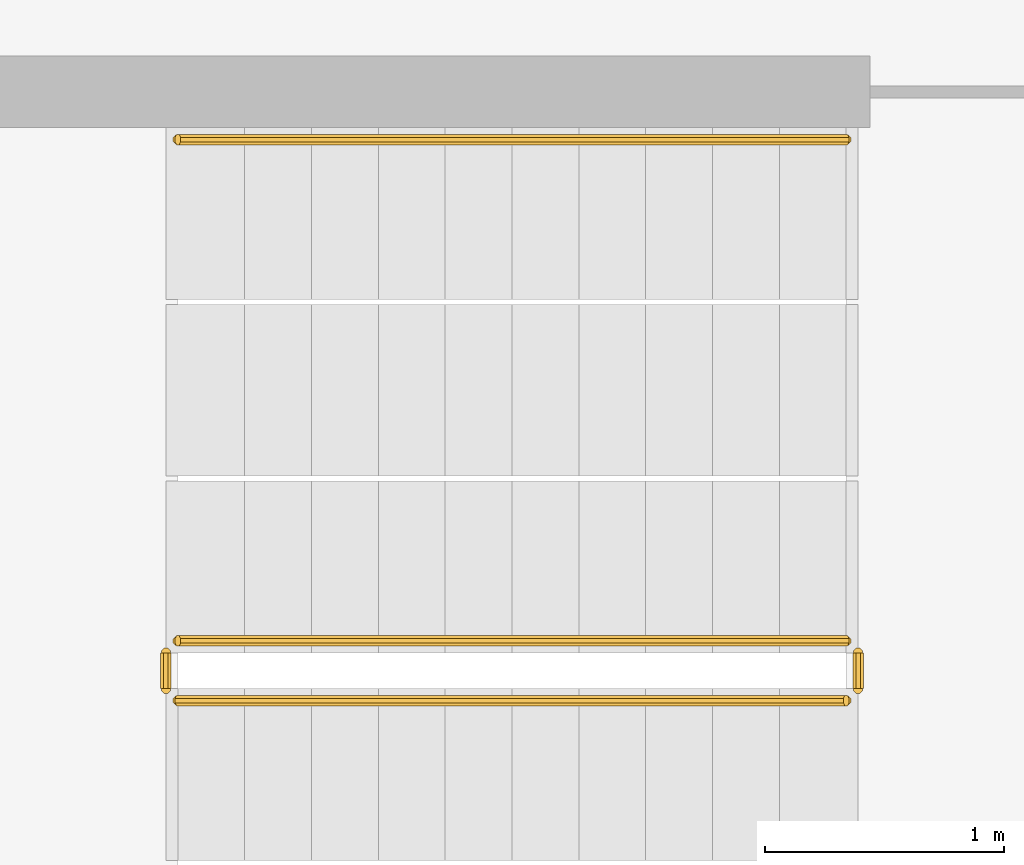
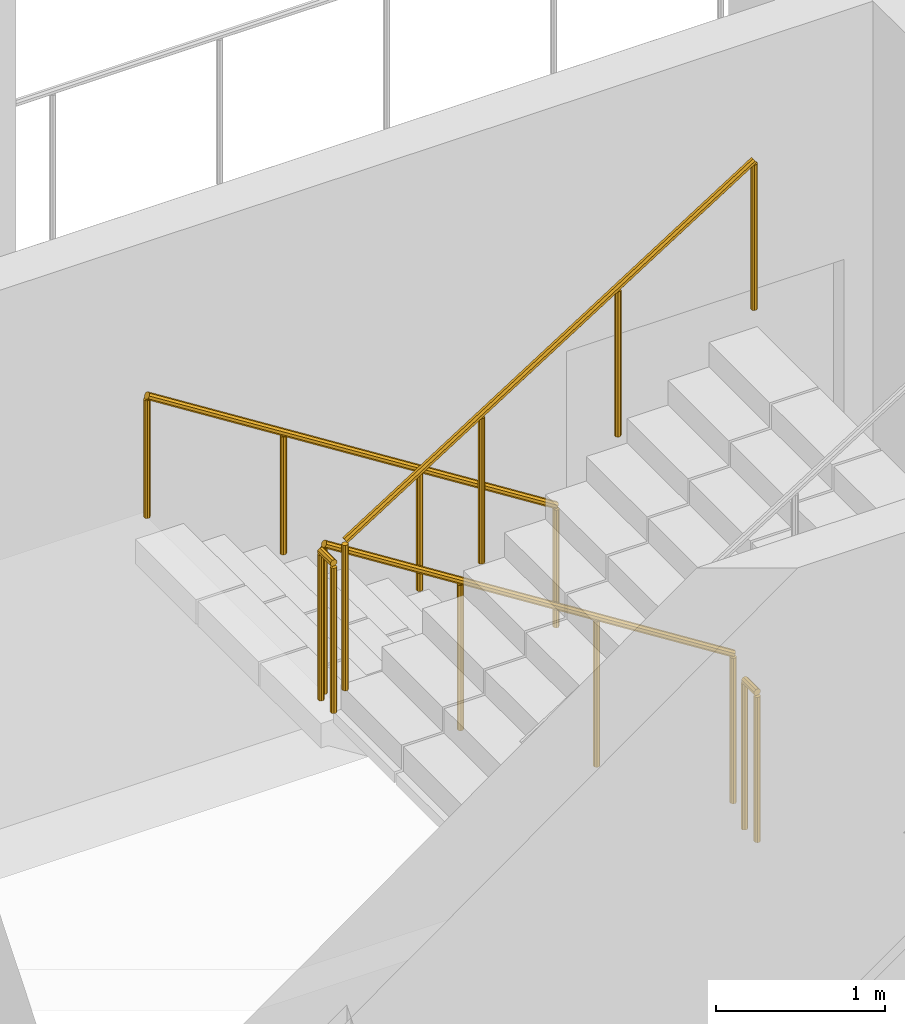
# One storey, part 19 of 25: 5 railings.
"""IFC4 building model written with IfcOpenShell, lengths in metres."""

from ifc_helpers import new_model, si_unit, direction, frame, origin, place, context, subcontext, project, spatial, polyline, outline, extrude, material, type_object, element, save


model = new_model("IFC4")

# Units and contexts
model_context = context("Model", 3, precision=1e-05, world=origin(), true_north=direction((0.0, 1.0)))
body_context = subcontext(model_context, "Body", "Model", "MODEL_VIEW")
ifc_project = project(units=[si_unit("LENGTHUNIT", "METRE"), si_unit("AREAUNIT", "SQUARE_METRE"), si_unit("VOLUMEUNIT", "CUBIC_METRE"), si_unit("PLANEANGLEUNIT", "RADIAN"), si_unit("MASSUNIT", "GRAM", prefix="KILO")], contexts=[model_context])

# Site, building, storey
site_placement = place(None, origin())
site = spatial("IfcSite", under=ifc_project, at=site_placement, CompositionType="ELEMENT")
building_placement = place(site_placement, origin())
building = spatial("IfcBuilding", under=site, at=building_placement, Name="Cormorant Relay Tower", CompositionType="ELEMENT")
storey_placement = place(building_placement, frame((0.0, 0.0, 265.800048828125)))
storey = spatial("IfcBuildingStorey", under=building, at=storey_placement, Name="L59", CompositionType="ELEMENT", Elevation=265.800048828125)

# Railings
ifc_material_1 = material(Name="Steel ASTM A572 Grade 50 (Fy 345 MPa)", Category="steel")
railing_type_1 = type_object("IfcRailingType", Name="Stair guard 1100", PredefinedType="GUARDRAIL", material=ifc_material_1)
railing_1_placement = place(storey_placement, frame((1.60009765625, -18.27490234375, 0.17724609375)))
element("IfcRailing", 1, at=railing_1_placement, inside=storey, type_object=railing_type_1, Name="L59 RK1 stair guard 1", PredefinedType="GUARDRAIL", context=body_context, shape_type="SweptSolid", body=[
    extrude(outline(polyline([(0.022216796875, 0.00927734375), (0.00927734375, 0.022216796875), (-0.00927734375, 0.022216796875), (-0.022216796875, 0.00927734375), (-0.022216796875, -0.00927734375), (-0.00927734375, -0.022216796875), (0.00927734375, -0.022216796875), (0.022216796875, -0.00927734375), (0.022216796875, 0.00927734375)])), frame((0.0, 0.0, 1.076171875), z_axis=(-0.844908973607, 0.0, 0.534910110503), x_axis=(0.0, -1.0, 0.0)), (0.0, 0.0, 1.0), 3.31396484375),
    extrude(outline(polyline([(0.019287109375, 0.008056640625), (0.008056640625, 0.019287109375), (-0.008056640625, 0.019287109375), (-0.019287109375, 0.008056640625), (-0.019287109375, -0.008056640625), (-0.008056640625, -0.019287109375), (0.008056640625, -0.019287109375), (0.019287109375, -0.008056640625), (0.019287109375, 0.008056640625)])), origin(), (0.0, 0.0, 1.0), 1.052001953125),
    extrude(outline(polyline([(0.019287109375, 0.008056640625), (0.008056640625, 0.019287109375), (-0.008056640625, 0.019287109375), (-0.019287109375, 0.008056640625), (-0.019287109375, -0.008056640625), (-0.008056640625, -0.019287109375), (0.008056640625, -0.019287109375), (0.019287109375, -0.008056640625), (0.019287109375, 0.008056640625)])), frame((-0.933349609375, 0.0, 0.5908203125)), (0.0, 0.0, 1.0), 1.052001953125),
    extrude(outline(polyline([(0.019287109375, 0.008056640625), (0.008056640625, 0.019287109375), (-0.008056640625, 0.019287109375), (-0.019287109375, 0.008056640625), (-0.019287109375, -0.008056640625), (-0.008056640625, -0.019287109375), (0.008056640625, -0.019287109375), (0.019287109375, -0.008056640625), (0.019287109375, 0.008056640625)])), frame((-1.86669921875, 0.0, 1.181884765625)), (0.0, 0.0, 1.0), 1.052001953125),
    extrude(outline(polyline([(0.019287109375, 0.008056640625), (0.008056640625, 0.019287109375), (-0.008056640625, 0.019287109375), (-0.019287109375, 0.008056640625), (-0.019287109375, -0.008056640625), (-0.008056640625, -0.019287109375), (0.008056640625, -0.019287109375), (0.019287109375, -0.008056640625), (0.019287109375, 0.008056640625)])), frame((-2.800048828125, 0.0, 1.772705078125)), (0.0, 0.0, 1.0), 1.052001953125),
])
railing_2_placement = place(storey_placement, frame((-1.25, -18.324951171875, 1.949951171875)))
element("IfcRailing", 2, at=railing_2_placement, inside=storey, type_object=railing_type_1, Name="L59 RK1 stair guard 2", PredefinedType="GUARDRAIL", context=body_context, shape_type="SweptSolid", body=[
    extrude(outline(polyline([(0.022216796875, 0.00927734375), (0.00927734375, 0.022216796875), (-0.00927734375, 0.022216796875), (-0.022216796875, 0.00927734375), (-0.022216796875, -0.00927734375), (-0.00927734375, -0.022216796875), (0.00927734375, -0.022216796875), (0.022216796875, -0.00927734375), (0.022216796875, 0.00927734375)])), frame((0.0, 0.0, 1.076171875), z_axis=(0.0, -1.0, 0.0), x_axis=(1.0, 0.0, 0.0)), (0.0, 0.0, 1.0), 0.150146484375),
    extrude(outline(polyline([(0.019287109375, 0.008056640625), (0.008056640625, 0.019287109375), (-0.008056640625, 0.019287109375), (-0.019287109375, 0.008056640625), (-0.019287109375, -0.008056640625), (-0.008056640625, -0.019287109375), (0.008056640625, -0.019287109375), (0.019287109375, -0.008056640625), (0.019287109375, 0.008056640625)])), origin(), (0.0, 0.0, 1.0), 1.052001953125),
    extrude(outline(polyline([(0.019287109375, 0.008056640625), (0.008056640625, 0.019287109375), (-0.008056640625, 0.019287109375), (-0.019287109375, 0.008056640625), (-0.019287109375, -0.008056640625), (-0.008056640625, -0.019287109375), (0.008056640625, -0.019287109375), (0.019287109375, -0.008056640625), (0.019287109375, 0.008056640625)])), frame((0.0, -0.150146484375, 0.0)), (0.0, 0.0, 1.0), 1.052001953125),
])
railing_3_placement = place(storey_placement, frame((-1.199951171875, -18.52490234375, 2.127197265625)))
element("IfcRailing", 3, at=railing_3_placement, inside=storey, type_object=railing_type_1, Name="L59 RK1 stair guard 3", PredefinedType="GUARDRAIL", context=body_context, shape_type="SweptSolid", body=[
    extrude(outline(polyline([(0.022216796875, 0.00927734375), (0.00927734375, 0.022216796875), (-0.00927734375, 0.022216796875), (-0.022216796875, 0.00927734375), (-0.022216796875, -0.00927734375), (-0.00927734375, -0.022216796875), (0.00927734375, -0.022216796875), (0.022216796875, -0.00927734375), (0.022216796875, 0.00927734375)])), frame((0.0, 0.0, 1.076171875), z_axis=(0.844908973607, 0.0, 0.534910110503), x_axis=(0.0, 1.0, 0.0)), (0.0, 0.0, 1.0), 3.31396484375),
    extrude(outline(polyline([(0.019287109375, 0.008056640625), (0.008056640625, 0.019287109375), (-0.008056640625, 0.019287109375), (-0.019287109375, 0.008056640625), (-0.019287109375, -0.008056640625), (-0.008056640625, -0.019287109375), (0.008056640625, -0.019287109375), (0.019287109375, -0.008056640625), (0.019287109375, 0.008056640625)])), origin(), (0.0, 0.0, 1.0), 1.052001953125),
    extrude(outline(polyline([(0.019287109375, 0.008056640625), (0.008056640625, 0.019287109375), (-0.008056640625, 0.019287109375), (-0.019287109375, 0.008056640625), (-0.019287109375, -0.008056640625), (-0.008056640625, -0.019287109375), (0.008056640625, -0.019287109375), (0.019287109375, -0.008056640625), (0.019287109375, 0.008056640625)])), frame((0.933349609375, 0.0, 0.5908203125)), (0.0, 0.0, 1.0), 1.052001953125),
    extrude(outline(polyline([(0.019287109375, 0.008056640625), (0.008056640625, 0.019287109375), (-0.008056640625, 0.019287109375), (-0.019287109375, 0.008056640625), (-0.019287109375, -0.008056640625), (-0.008056640625, -0.019287109375), (0.008056640625, -0.019287109375), (0.019287109375, -0.008056640625), (0.019287109375, 0.008056640625)])), frame((1.86669921875, 0.0, 1.181884765625)), (0.0, 0.0, 1.0), 1.052001953125),
    extrude(outline(polyline([(0.019287109375, 0.008056640625), (0.008056640625, 0.019287109375), (-0.008056640625, 0.019287109375), (-0.019287109375, 0.008056640625), (-0.019287109375, -0.008056640625), (-0.008056640625, -0.019287109375), (0.008056640625, -0.019287109375), (0.019287109375, -0.008056640625), (0.019287109375, 0.008056640625)])), frame((2.800048828125, 0.0, 1.772705078125)), (0.0, 0.0, 1.0), 1.052001953125),
])
railing_4_placement = place(storey_placement, frame((1.64990234375, -18.324951171875, 0.0)))
element("IfcRailing", 4, at=railing_4_placement, inside=storey, type_object=railing_type_1, Name="L59 RK1 stair guard 4", PredefinedType="GUARDRAIL", context=body_context, shape_type="SweptSolid", body=[
    extrude(outline(polyline([(0.022216796875, 0.00927734375), (0.00927734375, 0.022216796875), (-0.00927734375, 0.022216796875), (-0.022216796875, 0.00927734375), (-0.022216796875, -0.00927734375), (-0.00927734375, -0.022216796875), (0.00927734375, -0.022216796875), (0.022216796875, -0.00927734375), (0.022216796875, 0.00927734375)])), frame((0.0, 0.0, 1.076171875), z_axis=(0.0, -1.0, 0.0), x_axis=(1.0, 0.0, 0.0)), (0.0, 0.0, 1.0), 0.150146484375),
    extrude(outline(polyline([(0.019287109375, 0.008056640625), (0.008056640625, 0.019287109375), (-0.008056640625, 0.019287109375), (-0.019287109375, 0.008056640625), (-0.019287109375, -0.008056640625), (-0.008056640625, -0.019287109375), (0.008056640625, -0.019287109375), (0.019287109375, -0.008056640625), (0.019287109375, 0.008056640625)])), origin(), (0.0, 0.0, 1.0), 1.052001953125),
    extrude(outline(polyline([(0.019287109375, 0.008056640625), (0.008056640625, 0.019287109375), (-0.008056640625, 0.019287109375), (-0.019287109375, 0.008056640625), (-0.019287109375, -0.008056640625), (-0.008056640625, -0.019287109375), (0.008056640625, -0.019287109375), (0.019287109375, -0.008056640625), (0.019287109375, 0.008056640625)])), frame((0.0, -0.150146484375, 0.0)), (0.0, 0.0, 1.0), 1.052001953125),
])
ifc_material_2 = material(Name="Steel ASTM A572 Grade 50 (Fy 345 MPa)", Category="steel")
railing_type_2 = type_object("IfcRailingType", Name="Stair handrail 900", PredefinedType="HANDRAIL", material=ifc_material_2)
railing_5_placement = place(storey_placement, frame((1.60009765625, -16.175048828125, 0.17724609375)))
element("IfcRailing", 5, at=railing_5_placement, inside=storey, type_object=railing_type_2, Name="L59 RK1 stair handrail 1", PredefinedType="HANDRAIL", context=body_context, shape_type="SweptSolid", body=[
    extrude(outline(polyline([(0.022216796875, 0.00927734375), (0.00927734375, 0.022216796875), (-0.00927734375, 0.022216796875), (-0.022216796875, 0.00927734375), (-0.022216796875, -0.00927734375), (-0.00927734375, -0.022216796875), (0.00927734375, -0.022216796875), (0.022216796875, -0.00927734375), (0.022216796875, 0.00927734375)])), frame((0.0, 0.0, 0.8759765625), z_axis=(-0.844908973607, 0.0, 0.534910110503), x_axis=(0.0, -1.0, 0.0)), (0.0, 0.0, 1.0), 3.31396484375),
    extrude(outline(polyline([(0.019287109375, 0.008056640625), (0.008056640625, 0.019287109375), (-0.008056640625, 0.019287109375), (-0.019287109375, 0.008056640625), (-0.019287109375, -0.008056640625), (-0.008056640625, -0.019287109375), (0.008056640625, -0.019287109375), (0.019287109375, -0.008056640625), (0.019287109375, 0.008056640625)])), origin(), (0.0, 0.0, 1.0), 0.851806640625),
    extrude(outline(polyline([(0.019287109375, 0.008056640625), (0.008056640625, 0.019287109375), (-0.008056640625, 0.019287109375), (-0.019287109375, 0.008056640625), (-0.019287109375, -0.008056640625), (-0.008056640625, -0.019287109375), (0.008056640625, -0.019287109375), (0.019287109375, -0.008056640625), (0.019287109375, 0.008056640625)])), frame((-0.933349609375, 0.0, 0.5908203125)), (0.0, 0.0, 1.0), 0.851806640625),
    extrude(outline(polyline([(0.019287109375, 0.008056640625), (0.008056640625, 0.019287109375), (-0.008056640625, 0.019287109375), (-0.019287109375, 0.008056640625), (-0.019287109375, -0.008056640625), (-0.008056640625, -0.019287109375), (0.008056640625, -0.019287109375), (0.019287109375, -0.008056640625), (0.019287109375, 0.008056640625)])), frame((-1.86669921875, 0.0, 1.181884765625)), (0.0, 0.0, 1.0), 0.851806640625),
    extrude(outline(polyline([(0.019287109375, 0.008056640625), (0.008056640625, 0.019287109375), (-0.008056640625, 0.019287109375), (-0.019287109375, 0.008056640625), (-0.019287109375, -0.008056640625), (-0.008056640625, -0.019287109375), (0.008056640625, -0.019287109375), (0.019287109375, -0.008056640625), (0.019287109375, 0.008056640625)])), frame((-2.800048828125, 0.0, 1.772705078125)), (0.0, 0.0, 1.0), 0.851806640625),
])

save(model, "model.ifc")
